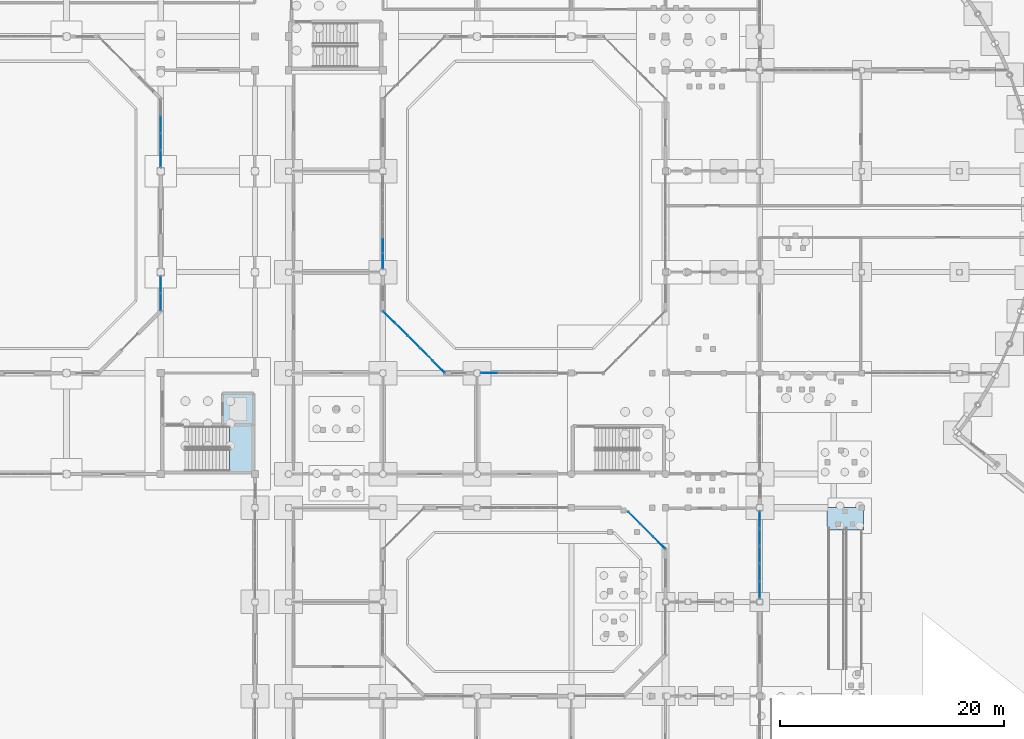
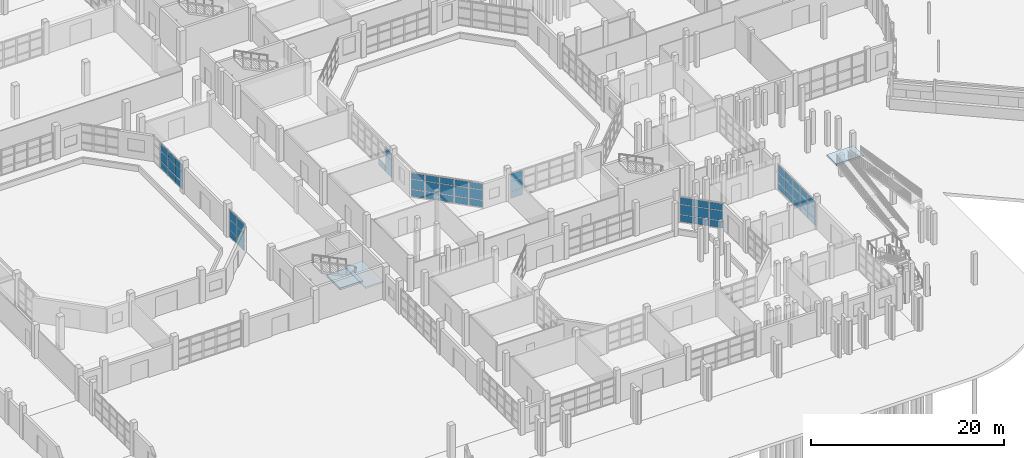
# One storey, part 46 of 88: 61 plates, 3 slabs, 9 elements without a shape of their own.
"""IFC4 building model written with IfcOpenShell, lengths in metres."""

from ifc_helpers import new_model, si_unit, direction, frame, origin, origin_2d, place, context, subcontext, project, spatial, polyline, rectangle, outline, extrude, material, layer, layer_set, type_object, element, aggregate, save


model = new_model("IFC4")

# Units and contexts
model_context = context("Model", 3, precision=1e-05, world=origin(), true_north=direction((0.0, 1.0)))
body_context = subcontext(model_context, "Body", "Model", "MODEL_VIEW")
ifc_project = project(units=[si_unit("LENGTHUNIT", "METRE"), si_unit("AREAUNIT", "SQUARE_METRE"), si_unit("VOLUMEUNIT", "CUBIC_METRE"), si_unit("PLANEANGLEUNIT", "RADIAN"), si_unit("MASSUNIT", "GRAM", prefix="KILO")], contexts=[model_context])

# Site, building, storey
site_placement = place(None, origin())
site = spatial("IfcSite", under=ifc_project, at=site_placement, CompositionType="ELEMENT")
building_placement = place(site_placement, origin())
building = spatial("IfcBuilding", under=site, at=building_placement, Name="Vanh Quang Courtyard School", CompositionType="ELEMENT")
storey_placement = place(building_placement, origin())
storey = spatial("IfcBuildingStorey", under=building, at=storey_placement, Name="L00", CompositionType="ELEMENT", Elevation=0.0)

# Curtain wall, plates
ifc_material_1 = material(Name="Thermally broken aluminium unitised curtain wall", Category="aluminium")
curtain_wall_type_1 = type_object("IfcCurtainWallType", Name="CW-SYS-12", PredefinedType="NOTDEFINED", material=ifc_material_1)
curtain_wall_1_placement = place(storey_placement, origin())
curtain_wall_1 = element("IfcCurtainWall", 1, at=curtain_wall_1_placement, inside=storey, type_object=curtain_wall_type_1, Name="Curtain Wall CW-12 (L00)", PredefinedType="NOTDEFINED")
ifc_material_2 = material(Name="Low-E laminated double glazing", Category="glass")
ifc_layer_1 = layer(ifc_material_2, 0.028076171875)
ifc_layer_set_1 = layer_set([ifc_layer_1], Name="Low-E laminated double glazing")
plate_type_1 = type_object("IfcPlateType", Name="CW-PNL-28", PredefinedType="CURTAIN_PANEL", material=ifc_layer_set_1)
plate_1_placement = place(storey_placement, frame((66.0, 47.73974609375, 0.06005859375), z_axis=(0.0, 0.0, 1.0), x_axis=(0.0, 1.0, 0.0)))
plate_1 = element("IfcPlate", 2, at=plate_1_placement, type_object=plate_type_1, Name="CW-12 panel 1.1", PredefinedType="CURTAIN_PANEL", context=body_context, shape_type="SweptSolid", body=[
    extrude(rectangle(XDim=1.471435546875, YDim=0.028076171875, at=origin_2d()), origin(), (0.0, 0.0, 1.0), 0.860107421875),
])
plate_2_placement = place(storey_placement, frame((66.0, 47.73974609375, 0.97998046875), z_axis=(0.0, 0.0, 1.0), x_axis=(0.0, 1.0, 0.0)))
plate_2 = element("IfcPlate", 3, at=plate_2_placement, type_object=plate_type_1, Name="CW-12 panel 1.2", PredefinedType="CURTAIN_PANEL", context=body_context, shape_type="SweptSolid", body=[
    extrude(rectangle(XDim=1.471435546875, YDim=0.028076171875, at=origin_2d()), origin(), (0.0, 0.0, 1.0), 1.239990234375),
])
plate_3_placement = place(storey_placement, frame((66.0, 47.73974609375, 2.2802734375), z_axis=(0.0, 0.0, 1.0), x_axis=(0.0, 1.0, 0.0)))
plate_3 = element("IfcPlate", 4, at=plate_3_placement, type_object=plate_type_1, Name="CW-12 panel 1.3", PredefinedType="CURTAIN_PANEL", context=body_context, shape_type="SweptSolid", body=[
    extrude(rectangle(XDim=1.471435546875, YDim=0.028076171875, at=origin_2d()), origin(), (0.0, 0.0, 1.0), 1.179931640625),
])
plate_4_placement = place(storey_placement, frame((66.0, 49.271240234375, 0.06005859375), z_axis=(0.0, 0.0, 1.0), x_axis=(0.0, 1.0, 0.0)))
plate_4 = element("IfcPlate", 5, at=plate_4_placement, type_object=plate_type_1, Name="CW-12 panel 2.1", PredefinedType="CURTAIN_PANEL", context=body_context, shape_type="SweptSolid", body=[
    extrude(rectangle(XDim=1.471435546875, YDim=0.028076171875, at=origin_2d()), origin(), (0.0, 0.0, 1.0), 0.860107421875),
])
plate_5_placement = place(storey_placement, frame((66.0, 49.271240234375, 0.97998046875), z_axis=(0.0, 0.0, 1.0), x_axis=(0.0, 1.0, 0.0)))
plate_5 = element("IfcPlate", 6, at=plate_5_placement, type_object=plate_type_1, Name="CW-12 panel 2.2", PredefinedType="CURTAIN_PANEL", context=body_context, shape_type="SweptSolid", body=[
    extrude(rectangle(XDim=1.471435546875, YDim=0.028076171875, at=origin_2d()), origin(), (0.0, 0.0, 1.0), 1.239990234375),
])
plate_6_placement = place(storey_placement, frame((66.0, 49.271240234375, 2.2802734375), z_axis=(0.0, 0.0, 1.0), x_axis=(0.0, 1.0, 0.0)))
plate_6 = element("IfcPlate", 7, at=plate_6_placement, type_object=plate_type_1, Name="CW-12 panel 2.3", PredefinedType="CURTAIN_PANEL", context=body_context, shape_type="SweptSolid", body=[
    extrude(rectangle(XDim=1.471435546875, YDim=0.028076171875, at=origin_2d()), origin(), (0.0, 0.0, 1.0), 1.179931640625),
])
aggregate(curtain_wall_1, [plate_1, plate_2, plate_3, plate_4, plate_5, plate_6])

curtain_wall_type_2 = type_object("IfcCurtainWallType", Name="CW-SYS-17", PredefinedType="NOTDEFINED", material=ifc_material_1)
curtain_wall_2_placement = place(storey_placement, origin())
curtain_wall_2 = element("IfcCurtainWall", 8, at=curtain_wall_2_placement, inside=storey, type_object=curtain_wall_type_2, Name="Curtain Wall CW-17 (L00)", PredefinedType="NOTDEFINED")
plate_7_placement = place(storey_placement, frame((86.36865234375, 46.37548828125, 0.080078125), z_axis=(0.0, 0.0, 1.0), x_axis=(0.707106781187, -0.707106781187, 0.0)))
plate_7 = element("IfcPlate", 9, at=plate_7_placement, type_object=plate_type_1, Name="CW-17 panel 1.1", PredefinedType="CURTAIN_PANEL", context=body_context, shape_type="SweptSolid", body=[
    extrude(rectangle(XDim=1.447998046875, YDim=0.028076171875, at=origin_2d()), origin(), (0.0, 0.0, 1.0), 0.830078125),
])
plate_8_placement = place(storey_placement, frame((86.36865234375, 46.37548828125, 0.990234375), z_axis=(0.0, 0.0, 1.0), x_axis=(0.707106781187, -0.707106781187, 0.0)))
plate_8 = element("IfcPlate", 10, at=plate_8_placement, type_object=plate_type_1, Name="CW-17 panel 1.2", PredefinedType="CURTAIN_PANEL", context=body_context, shape_type="SweptSolid", body=[
    extrude(rectangle(XDim=1.447998046875, YDim=0.028076171875, at=origin_2d()), origin(), (0.0, 0.0, 1.0), 1.219970703125),
])
plate_9_placement = place(storey_placement, frame((86.36865234375, 46.37548828125, 2.2900390625), z_axis=(0.0, 0.0, 1.0), x_axis=(0.707106781187, -0.707106781187, 0.0)))
plate_9 = element("IfcPlate", 11, at=plate_9_placement, type_object=plate_type_1, Name="CW-17 panel 1.3", PredefinedType="CURTAIN_PANEL", context=body_context, shape_type="SweptSolid", body=[
    extrude(rectangle(XDim=1.447998046875, YDim=0.028076171875, at=origin_2d()), origin(), (0.0, 0.0, 1.0), 0.75),
])
plate_10_placement = place(storey_placement, frame((87.463134765625, 45.28076171875, 0.080078125), z_axis=(0.0, 0.0, 1.0), x_axis=(0.707106781187, -0.707106781187, 0.0)))
plate_10 = element("IfcPlate", 12, at=plate_10_placement, type_object=plate_type_1, Name="CW-17 panel 2.1", PredefinedType="CURTAIN_PANEL", context=body_context, shape_type="SweptSolid", body=[
    extrude(rectangle(XDim=1.488037109375, YDim=0.028076171875, at=origin_2d()), origin(), (0.0, 0.0, 1.0), 0.830078125),
])
plate_11_placement = place(storey_placement, frame((87.463134765625, 45.28076171875, 0.990234375), z_axis=(0.0, 0.0, 1.0), x_axis=(0.707106781187, -0.707106781187, 0.0)))
plate_11 = element("IfcPlate", 13, at=plate_11_placement, type_object=plate_type_1, Name="CW-17 panel 2.2", PredefinedType="CURTAIN_PANEL", context=body_context, shape_type="SweptSolid", body=[
    extrude(rectangle(XDim=1.488037109375, YDim=0.028076171875, at=origin_2d()), origin(), (0.0, 0.0, 1.0), 1.219970703125),
])
plate_12_placement = place(storey_placement, frame((87.463134765625, 45.28076171875, 2.2900390625), z_axis=(0.0, 0.0, 1.0), x_axis=(0.707106781187, -0.707106781187, 0.0)))
plate_12 = element("IfcPlate", 14, at=plate_12_placement, type_object=plate_type_1, Name="CW-17 panel 2.3", PredefinedType="CURTAIN_PANEL", context=body_context, shape_type="SweptSolid", body=[
    extrude(rectangle(XDim=1.488037109375, YDim=0.028076171875, at=origin_2d()), origin(), (0.0, 0.0, 1.0), 0.75),
])
plate_13_placement = place(storey_placement, frame((88.572021484375, 44.172119140625, 0.080078125), z_axis=(0.0, 0.0, 1.0), x_axis=(0.707106781187, -0.707106781187, 0.0)))
plate_13 = element("IfcPlate", 15, at=plate_13_placement, type_object=plate_type_1, Name="CW-17 panel 3.1", PredefinedType="CURTAIN_PANEL", context=body_context, shape_type="SweptSolid", body=[
    extrude(rectangle(XDim=1.488037109375, YDim=0.028076171875, at=origin_2d()), origin(), (0.0, 0.0, 1.0), 0.830078125),
])
plate_14_placement = place(storey_placement, frame((88.572021484375, 44.172119140625, 0.990234375), z_axis=(0.0, 0.0, 1.0), x_axis=(0.707106781187, -0.707106781187, 0.0)))
plate_14 = element("IfcPlate", 16, at=plate_14_placement, type_object=plate_type_1, Name="CW-17 panel 3.2", PredefinedType="CURTAIN_PANEL", context=body_context, shape_type="SweptSolid", body=[
    extrude(rectangle(XDim=1.488037109375, YDim=0.028076171875, at=origin_2d()), origin(), (0.0, 0.0, 1.0), 1.219970703125),
])
plate_15_placement = place(storey_placement, frame((88.572021484375, 44.172119140625, 2.2900390625), z_axis=(0.0, 0.0, 1.0), x_axis=(0.707106781187, -0.707106781187, 0.0)))
plate_15 = element("IfcPlate", 17, at=plate_15_placement, type_object=plate_type_1, Name="CW-17 panel 3.3", PredefinedType="CURTAIN_PANEL", context=body_context, shape_type="SweptSolid", body=[
    extrude(rectangle(XDim=1.488037109375, YDim=0.028076171875, at=origin_2d()), origin(), (0.0, 0.0, 1.0), 0.75),
])
plate_16_placement = place(storey_placement, frame((89.680908203125, 43.063232421875, 0.080078125), z_axis=(0.0, 0.0, 1.0), x_axis=(0.707106781187, -0.707106781187, 0.0)))
plate_16 = element("IfcPlate", 18, at=plate_16_placement, type_object=plate_type_1, Name="CW-17 panel 4.1", PredefinedType="CURTAIN_PANEL", context=body_context, shape_type="SweptSolid", body=[
    extrude(rectangle(XDim=1.488037109375, YDim=0.028076171875, at=origin_2d()), origin(), (0.0, 0.0, 1.0), 0.830078125),
])
plate_17_placement = place(storey_placement, frame((89.680908203125, 43.063232421875, 0.990234375), z_axis=(0.0, 0.0, 1.0), x_axis=(0.707106781187, -0.707106781187, 0.0)))
plate_17 = element("IfcPlate", 19, at=plate_17_placement, type_object=plate_type_1, Name="CW-17 panel 4.2", PredefinedType="CURTAIN_PANEL", context=body_context, shape_type="SweptSolid", body=[
    extrude(rectangle(XDim=1.488037109375, YDim=0.028076171875, at=origin_2d()), origin(), (0.0, 0.0, 1.0), 1.219970703125),
])
plate_18_placement = place(storey_placement, frame((89.680908203125, 43.063232421875, 2.2900390625), z_axis=(0.0, 0.0, 1.0), x_axis=(0.707106781187, -0.707106781187, 0.0)))
plate_18 = element("IfcPlate", 20, at=plate_18_placement, type_object=plate_type_1, Name="CW-17 panel 4.3", PredefinedType="CURTAIN_PANEL", context=body_context, shape_type="SweptSolid", body=[
    extrude(rectangle(XDim=1.488037109375, YDim=0.028076171875, at=origin_2d()), origin(), (0.0, 0.0, 1.0), 0.75),
])
plate_19_placement = place(storey_placement, frame((90.775390625, 41.968505859375, 0.080078125), z_axis=(0.0, 0.0, 1.0), x_axis=(0.707106781187, -0.707106781187, 0.0)))
plate_19 = element("IfcPlate", 21, at=plate_19_placement, type_object=plate_type_1, Name="CW-17 panel 5.1", PredefinedType="CURTAIN_PANEL", context=body_context, shape_type="SweptSolid", body=[
    extrude(rectangle(XDim=1.447998046875, YDim=0.028076171875, at=origin_2d()), origin(), (0.0, 0.0, 1.0), 0.830078125),
])
plate_20_placement = place(storey_placement, frame((90.775390625, 41.968505859375, 0.990234375), z_axis=(0.0, 0.0, 1.0), x_axis=(0.707106781187, -0.707106781187, 0.0)))
plate_20 = element("IfcPlate", 22, at=plate_20_placement, type_object=plate_type_1, Name="CW-17 panel 5.2", PredefinedType="CURTAIN_PANEL", context=body_context, shape_type="SweptSolid", body=[
    extrude(rectangle(XDim=1.447998046875, YDim=0.028076171875, at=origin_2d()), origin(), (0.0, 0.0, 1.0), 1.219970703125),
])
plate_21_placement = place(storey_placement, frame((90.775390625, 41.968505859375, 2.2900390625), z_axis=(0.0, 0.0, 1.0), x_axis=(0.707106781187, -0.707106781187, 0.0)))
plate_21 = element("IfcPlate", 23, at=plate_21_placement, type_object=plate_type_1, Name="CW-17 panel 5.3", PredefinedType="CURTAIN_PANEL", context=body_context, shape_type="SweptSolid", body=[
    extrude(rectangle(XDim=1.447998046875, YDim=0.028076171875, at=origin_2d()), origin(), (0.0, 0.0, 1.0), 0.75),
])
aggregate(curtain_wall_2, [plate_7, plate_8, plate_9, plate_10, plate_11, plate_12, plate_13, plate_14, plate_15, plate_16, plate_17, plate_18, plate_19, plate_20, plate_21])

curtain_wall_type_3 = type_object("IfcCurtainWallType", Name="CW-SYS-07", PredefinedType="NOTDEFINED", material=ifc_material_1)
curtain_wall_3_placement = place(storey_placement, origin())
curtain_wall_3 = element("IfcCurtainWall", 24, at=curtain_wall_3_placement, inside=storey, type_object=curtain_wall_type_3, Name="Curtain Wall CW-07 (L00)", PredefinedType="NOTDEFINED")
ifc_layer_2 = layer(ifc_material_2, 0.031982421875)
ifc_layer_set_2 = layer_set([ifc_layer_2], Name="Low-E laminated double glazing")
plate_type_2 = type_object("IfcPlateType", Name="CW-PNL-32", PredefinedType="CURTAIN_PANEL", material=ifc_layer_set_2)
plate_22_placement = place(storey_placement, frame((119.39990234375, 28.313720703125, 0.080078125), z_axis=(0.0, 0.0, 1.0), x_axis=(0.0, -1.0, 0.0)))
plate_22 = element("IfcPlate", 25, at=plate_22_placement, type_object=plate_type_2, Name="CW-07 panel 1.1", PredefinedType="CURTAIN_PANEL", context=body_context, shape_type="SweptSolid", body=[
    extrude(rectangle(XDim=1.44677734375, YDim=0.031982421875, at=origin_2d()), origin(), (0.0, 0.0, 1.0), 0.830078125),
])
plate_23_placement = place(storey_placement, frame((119.39990234375, 28.313720703125, 0.990234375), z_axis=(0.0, 0.0, 1.0), x_axis=(0.0, -1.0, 0.0)))
plate_23 = element("IfcPlate", 26, at=plate_23_placement, type_object=plate_type_2, Name="CW-07 panel 1.2", PredefinedType="CURTAIN_PANEL", context=body_context, shape_type="SweptSolid", body=[
    extrude(rectangle(XDim=1.44677734375, YDim=0.031982421875, at=origin_2d()), origin(), (0.0, 0.0, 1.0), 1.219970703125),
])
plate_24_placement = place(storey_placement, frame((119.39990234375, 28.313720703125, 2.2900390625), z_axis=(0.0, 0.0, 1.0), x_axis=(0.0, -1.0, 0.0)))
plate_24 = element("IfcPlate", 27, at=plate_24_placement, type_object=plate_type_2, Name="CW-07 panel 1.3", PredefinedType="CURTAIN_PANEL", context=body_context, shape_type="SweptSolid", body=[
    extrude(rectangle(XDim=1.44677734375, YDim=0.031982421875, at=origin_2d()), origin(), (0.0, 0.0, 1.0), 0.909912109375),
])
plate_25_placement = place(storey_placement, frame((119.39990234375, 26.766845703125, 0.080078125), z_axis=(0.0, 0.0, 1.0), x_axis=(0.0, -1.0, 0.0)))
plate_25 = element("IfcPlate", 28, at=plate_25_placement, type_object=plate_type_2, Name="CW-07 panel 2.1", PredefinedType="CURTAIN_PANEL", context=body_context, shape_type="SweptSolid", body=[
    extrude(rectangle(XDim=1.48681640625, YDim=0.031982421875, at=origin_2d()), origin(), (0.0, 0.0, 1.0), 0.830078125),
])
plate_26_placement = place(storey_placement, frame((119.39990234375, 26.766845703125, 0.990234375), z_axis=(0.0, 0.0, 1.0), x_axis=(0.0, -1.0, 0.0)))
plate_26 = element("IfcPlate", 29, at=plate_26_placement, type_object=plate_type_2, Name="CW-07 panel 2.2", PredefinedType="CURTAIN_PANEL", context=body_context, shape_type="SweptSolid", body=[
    extrude(rectangle(XDim=1.48681640625, YDim=0.031982421875, at=origin_2d()), origin(), (0.0, 0.0, 1.0), 1.219970703125),
])
plate_27_placement = place(storey_placement, frame((119.39990234375, 26.766845703125, 2.2900390625), z_axis=(0.0, 0.0, 1.0), x_axis=(0.0, -1.0, 0.0)))
plate_27 = element("IfcPlate", 30, at=plate_27_placement, type_object=plate_type_2, Name="CW-07 panel 2.3", PredefinedType="CURTAIN_PANEL", context=body_context, shape_type="SweptSolid", body=[
    extrude(rectangle(XDim=1.48681640625, YDim=0.031982421875, at=origin_2d()), origin(), (0.0, 0.0, 1.0), 0.909912109375),
])
plate_28_placement = place(storey_placement, frame((119.39990234375, 25.199951171875, 0.080078125), z_axis=(0.0, 0.0, 1.0), x_axis=(0.0, -1.0, 0.0)))
plate_28 = element("IfcPlate", 31, at=plate_28_placement, type_object=plate_type_2, Name="CW-07 panel 3.1", PredefinedType="CURTAIN_PANEL", context=body_context, shape_type="SweptSolid", body=[
    extrude(rectangle(XDim=1.48681640625, YDim=0.031982421875, at=origin_2d()), origin(), (0.0, 0.0, 1.0), 0.830078125),
])
plate_29_placement = place(storey_placement, frame((119.39990234375, 25.199951171875, 0.990234375), z_axis=(0.0, 0.0, 1.0), x_axis=(0.0, -1.0, 0.0)))
plate_29 = element("IfcPlate", 32, at=plate_29_placement, type_object=plate_type_2, Name="CW-07 panel 3.2", PredefinedType="CURTAIN_PANEL", context=body_context, shape_type="SweptSolid", body=[
    extrude(rectangle(XDim=1.48681640625, YDim=0.031982421875, at=origin_2d()), origin(), (0.0, 0.0, 1.0), 1.219970703125),
])
plate_30_placement = place(storey_placement, frame((119.39990234375, 25.199951171875, 2.2900390625), z_axis=(0.0, 0.0, 1.0), x_axis=(0.0, -1.0, 0.0)))
plate_30 = element("IfcPlate", 33, at=plate_30_placement, type_object=plate_type_2, Name="CW-07 panel 3.3", PredefinedType="CURTAIN_PANEL", context=body_context, shape_type="SweptSolid", body=[
    extrude(rectangle(XDim=1.48681640625, YDim=0.031982421875, at=origin_2d()), origin(), (0.0, 0.0, 1.0), 0.909912109375),
])
plate_31_placement = place(storey_placement, frame((119.39990234375, 23.63330078125, 0.080078125), z_axis=(0.0, 0.0, 1.0), x_axis=(0.0, -1.0, 0.0)))
plate_31 = element("IfcPlate", 34, at=plate_31_placement, type_object=plate_type_2, Name="CW-07 panel 4.1", PredefinedType="CURTAIN_PANEL", context=body_context, shape_type="SweptSolid", body=[
    extrude(rectangle(XDim=1.48681640625, YDim=0.031982421875, at=origin_2d()), origin(), (0.0, 0.0, 1.0), 0.830078125),
])
plate_32_placement = place(storey_placement, frame((119.39990234375, 23.63330078125, 0.990234375), z_axis=(0.0, 0.0, 1.0), x_axis=(0.0, -1.0, 0.0)))
plate_32 = element("IfcPlate", 35, at=plate_32_placement, type_object=plate_type_2, Name="CW-07 panel 4.2", PredefinedType="CURTAIN_PANEL", context=body_context, shape_type="SweptSolid", body=[
    extrude(rectangle(XDim=1.48681640625, YDim=0.031982421875, at=origin_2d()), origin(), (0.0, 0.0, 1.0), 1.219970703125),
])
plate_33_placement = place(storey_placement, frame((119.39990234375, 23.63330078125, 2.2900390625), z_axis=(0.0, 0.0, 1.0), x_axis=(0.0, -1.0, 0.0)))
plate_33 = element("IfcPlate", 36, at=plate_33_placement, type_object=plate_type_2, Name="CW-07 panel 4.3", PredefinedType="CURTAIN_PANEL", context=body_context, shape_type="SweptSolid", body=[
    extrude(rectangle(XDim=1.48681640625, YDim=0.031982421875, at=origin_2d()), origin(), (0.0, 0.0, 1.0), 0.909912109375),
])
plate_34_placement = place(storey_placement, frame((119.39990234375, 22.08642578125, 0.080078125), z_axis=(0.0, 0.0, 1.0), x_axis=(0.0, -1.0, 0.0)))
plate_34 = element("IfcPlate", 37, at=plate_34_placement, type_object=plate_type_2, Name="CW-07 panel 5.1", PredefinedType="CURTAIN_PANEL", context=body_context, shape_type="SweptSolid", body=[
    extrude(rectangle(XDim=1.44677734375, YDim=0.031982421875, at=origin_2d()), origin(), (0.0, 0.0, 1.0), 0.830078125),
])
plate_35_placement = place(storey_placement, frame((119.39990234375, 22.08642578125, 0.990234375), z_axis=(0.0, 0.0, 1.0), x_axis=(0.0, -1.0, 0.0)))
plate_35 = element("IfcPlate", 38, at=plate_35_placement, type_object=plate_type_2, Name="CW-07 panel 5.2", PredefinedType="CURTAIN_PANEL", context=body_context, shape_type="SweptSolid", body=[
    extrude(rectangle(XDim=1.44677734375, YDim=0.031982421875, at=origin_2d()), origin(), (0.0, 0.0, 1.0), 1.219970703125),
])
plate_36_placement = place(storey_placement, frame((119.39990234375, 22.08642578125, 2.2900390625), z_axis=(0.0, 0.0, 1.0), x_axis=(0.0, -1.0, 0.0)))
plate_36 = element("IfcPlate", 39, at=plate_36_placement, type_object=plate_type_2, Name="CW-07 panel 5.3", PredefinedType="CURTAIN_PANEL", context=body_context, shape_type="SweptSolid", body=[
    extrude(rectangle(XDim=1.44677734375, YDim=0.031982421875, at=origin_2d()), origin(), (0.0, 0.0, 1.0), 0.909912109375),
])
aggregate(curtain_wall_3, [plate_22, plate_23, plate_24, plate_25, plate_26, plate_27, plate_28, plate_29, plate_30, plate_31, plate_32, plate_33, plate_34, plate_35, plate_36])

curtain_wall_type_4 = type_object("IfcCurtainWallType", Name="CW-SYS-11", PredefinedType="NOTDEFINED", material=ifc_material_1)
curtain_wall_4_placement = place(storey_placement, origin())
curtain_wall_4 = element("IfcCurtainWall", 40, at=curtain_wall_4_placement, inside=storey, type_object=curtain_wall_type_4, Name="Curtain Wall CW-11 (L00)", PredefinedType="NOTDEFINED")
plate_37_placement = place(storey_placement, frame((110.424560546875, 26.279296875, 0.080078125), z_axis=(0.0, 0.0, 1.0), x_axis=(-0.707106781187, 0.707106781187, 0.0)))
plate_37 = element("IfcPlate", 41, at=plate_37_placement, type_object=plate_type_2, Name="CW-11 panel 1.1", PredefinedType="CURTAIN_PANEL", context=body_context, shape_type="SweptSolid", body=[
    extrude(rectangle(XDim=1.46728515625, YDim=0.031982421875, at=origin_2d()), origin(), (0.0, 0.0, 1.0), 0.830078125),
])
plate_38_placement = place(storey_placement, frame((110.424560546875, 26.279296875, 0.990234375), z_axis=(0.0, 0.0, 1.0), x_axis=(-0.707106781187, 0.707106781187, 0.0)))
plate_38 = element("IfcPlate", 42, at=plate_38_placement, type_object=plate_type_2, Name="CW-11 panel 1.2", PredefinedType="CURTAIN_PANEL", context=body_context, shape_type="SweptSolid", body=[
    extrude(rectangle(XDim=1.46728515625, YDim=0.031982421875, at=origin_2d()), origin(), (0.0, 0.0, 1.0), 1.219970703125),
])
plate_39_placement = place(storey_placement, frame((110.424560546875, 26.279296875, 2.2900390625), z_axis=(0.0, 0.0, 1.0), x_axis=(-0.707106781187, 0.707106781187, 0.0)))
plate_39 = element("IfcPlate", 43, at=plate_39_placement, type_object=plate_type_2, Name="CW-11 panel 1.3", PredefinedType="CURTAIN_PANEL", context=body_context, shape_type="SweptSolid", body=[
    extrude(rectangle(XDim=1.46728515625, YDim=0.031982421875, at=origin_2d()), origin(), (0.0, 0.0, 1.0), 0.85009765625),
])
plate_40_placement = place(storey_placement, frame((109.31640625, 27.3876953125, 0.080078125), z_axis=(0.0, 0.0, 1.0), x_axis=(-0.707106781187, 0.707106781187, 0.0)))
plate_40 = element("IfcPlate", 44, at=plate_40_placement, type_object=plate_type_2, Name="CW-11 panel 2.1", PredefinedType="CURTAIN_PANEL", context=body_context, shape_type="SweptSolid", body=[
    extrude(rectangle(XDim=1.50732421875, YDim=0.031982421875, at=origin_2d()), origin(), (0.0, 0.0, 1.0), 0.830078125),
])
plate_41_placement = place(storey_placement, frame((109.31640625, 27.3876953125, 0.990234375), z_axis=(0.0, 0.0, 1.0), x_axis=(-0.707106781187, 0.707106781187, 0.0)))
plate_41 = element("IfcPlate", 45, at=plate_41_placement, type_object=plate_type_2, Name="CW-11 panel 2.2", PredefinedType="CURTAIN_PANEL", context=body_context, shape_type="SweptSolid", body=[
    extrude(rectangle(XDim=1.50732421875, YDim=0.031982421875, at=origin_2d()), origin(), (0.0, 0.0, 1.0), 1.219970703125),
])
plate_42_placement = place(storey_placement, frame((109.31640625, 27.3876953125, 2.2900390625), z_axis=(0.0, 0.0, 1.0), x_axis=(-0.707106781187, 0.707106781187, 0.0)))
plate_42 = element("IfcPlate", 46, at=plate_42_placement, type_object=plate_type_2, Name="CW-11 panel 2.3", PredefinedType="CURTAIN_PANEL", context=body_context, shape_type="SweptSolid", body=[
    extrude(rectangle(XDim=1.50732421875, YDim=0.031982421875, at=origin_2d()), origin(), (0.0, 0.0, 1.0), 0.85009765625),
])
plate_43_placement = place(storey_placement, frame((108.2080078125, 28.495849609375, 0.080078125), z_axis=(0.0, 0.0, 1.0), x_axis=(-0.707106781187, 0.707106781187, 0.0)))
plate_43 = element("IfcPlate", 47, at=plate_43_placement, type_object=plate_type_2, Name="CW-11 panel 3.1", PredefinedType="CURTAIN_PANEL", context=body_context, shape_type="SweptSolid", body=[
    extrude(rectangle(XDim=1.46728515625, YDim=0.031982421875, at=origin_2d()), origin(), (0.0, 0.0, 1.0), 0.830078125),
])
plate_44_placement = place(storey_placement, frame((108.2080078125, 28.495849609375, 0.990234375), z_axis=(0.0, 0.0, 1.0), x_axis=(-0.707106781187, 0.707106781187, 0.0)))
plate_44 = element("IfcPlate", 48, at=plate_44_placement, type_object=plate_type_2, Name="CW-11 panel 3.2", PredefinedType="CURTAIN_PANEL", context=body_context, shape_type="SweptSolid", body=[
    extrude(rectangle(XDim=1.46728515625, YDim=0.031982421875, at=origin_2d()), origin(), (0.0, 0.0, 1.0), 1.219970703125),
])
plate_45_placement = place(storey_placement, frame((108.2080078125, 28.495849609375, 2.2900390625), z_axis=(0.0, 0.0, 1.0), x_axis=(-0.707106781187, 0.707106781187, 0.0)))
plate_45 = element("IfcPlate", 49, at=plate_45_placement, type_object=plate_type_2, Name="CW-11 panel 3.3", PredefinedType="CURTAIN_PANEL", context=body_context, shape_type="SweptSolid", body=[
    extrude(rectangle(XDim=1.46728515625, YDim=0.031982421875, at=origin_2d()), origin(), (0.0, 0.0, 1.0), 0.85009765625),
])
aggregate(curtain_wall_4, [plate_37, plate_38, plate_39, plate_40, plate_41, plate_42, plate_43, plate_44, plate_45])

curtain_wall_type_5 = type_object("IfcCurtainWallType", Name="CW-SYS-13", PredefinedType="NOTDEFINED", material=ifc_material_1)
curtain_wall_5_placement = place(storey_placement, origin())
curtain_wall_5 = element("IfcCurtainWall", 50, at=curtain_wall_5_placement, inside=storey, type_object=curtain_wall_type_5, Name="Curtain Wall CW-13 (L00)", PredefinedType="NOTDEFINED")
plate_46_placement = place(storey_placement, frame((66.0, 60.515869140625, 0.06982421875), z_axis=(0.0, 0.0, 1.0), x_axis=(0.0, 1.0, 0.0)))
plate_46 = element("IfcPlate", 51, at=plate_46_placement, type_object=plate_type_2, Name="CW-13 panel 1.1", PredefinedType="CURTAIN_PANEL", context=body_context, shape_type="SweptSolid", body=[
    extrude(rectangle(XDim=1.42578125, YDim=0.031982421875, at=origin_2d()), origin(), (0.0, 0.0, 1.0), 0.844970703125),
])
plate_47_placement = place(storey_placement, frame((66.0, 60.515869140625, 0.985107421875), z_axis=(0.0, 0.0, 1.0), x_axis=(0.0, 1.0, 0.0)))
plate_47 = element("IfcPlate", 52, at=plate_47_placement, type_object=plate_type_2, Name="CW-13 panel 1.2", PredefinedType="CURTAIN_PANEL", context=body_context, shape_type="SweptSolid", body=[
    extrude(rectangle(XDim=1.42578125, YDim=0.031982421875, at=origin_2d()), origin(), (0.0, 0.0, 1.0), 1.22998046875),
])
plate_48_placement = place(storey_placement, frame((66.0, 60.515869140625, 2.28515625), z_axis=(0.0, 0.0, 1.0), x_axis=(0.0, 1.0, 0.0)))
plate_48 = element("IfcPlate", 53, at=plate_48_placement, type_object=plate_type_2, Name="CW-13 panel 1.3", PredefinedType="CURTAIN_PANEL", context=body_context, shape_type="SweptSolid", body=[
    extrude(rectangle(XDim=1.42578125, YDim=0.031982421875, at=origin_2d()), origin(), (0.0, 0.0, 1.0), 0.864990234375),
])
plate_49_placement = place(storey_placement, frame((66.0, 62.029052734375, 0.06982421875), z_axis=(0.0, 0.0, 1.0), x_axis=(0.0, 1.0, 0.0)))
plate_49 = element("IfcPlate", 54, at=plate_49_placement, type_object=plate_type_2, Name="CW-13 panel 2.1", PredefinedType="CURTAIN_PANEL", context=body_context, shape_type="SweptSolid", body=[
    extrude(rectangle(XDim=1.460693359375, YDim=0.031982421875, at=origin_2d()), origin(), (0.0, 0.0, 1.0), 0.844970703125),
])
plate_50_placement = place(storey_placement, frame((66.0, 62.029052734375, 0.985107421875), z_axis=(0.0, 0.0, 1.0), x_axis=(0.0, 1.0, 0.0)))
plate_50 = element("IfcPlate", 55, at=plate_50_placement, type_object=plate_type_2, Name="CW-13 panel 2.2", PredefinedType="CURTAIN_PANEL", context=body_context, shape_type="SweptSolid", body=[
    extrude(rectangle(XDim=1.460693359375, YDim=0.031982421875, at=origin_2d()), origin(), (0.0, 0.0, 1.0), 1.22998046875),
])
plate_51_placement = place(storey_placement, frame((66.0, 62.029052734375, 2.28515625), z_axis=(0.0, 0.0, 1.0), x_axis=(0.0, 1.0, 0.0)))
plate_51 = element("IfcPlate", 56, at=plate_51_placement, type_object=plate_type_2, Name="CW-13 panel 2.3", PredefinedType="CURTAIN_PANEL", context=body_context, shape_type="SweptSolid", body=[
    extrude(rectangle(XDim=1.460693359375, YDim=0.031982421875, at=origin_2d()), origin(), (0.0, 0.0, 1.0), 0.864990234375),
])
plate_52_placement = place(storey_placement, frame((66.0, 63.559814453125, 0.06982421875), z_axis=(0.0, 0.0, 1.0), x_axis=(0.0, 1.0, 0.0)))
plate_52 = element("IfcPlate", 57, at=plate_52_placement, type_object=plate_type_2, Name="CW-13 panel 3.1", PredefinedType="CURTAIN_PANEL", context=body_context, shape_type="SweptSolid", body=[
    extrude(rectangle(XDim=1.460693359375, YDim=0.031982421875, at=origin_2d()), origin(), (0.0, 0.0, 1.0), 0.844970703125),
])
plate_53_placement = place(storey_placement, frame((66.0, 63.559814453125, 0.985107421875), z_axis=(0.0, 0.0, 1.0), x_axis=(0.0, 1.0, 0.0)))
plate_53 = element("IfcPlate", 58, at=plate_53_placement, type_object=plate_type_2, Name="CW-13 panel 3.2", PredefinedType="CURTAIN_PANEL", context=body_context, shape_type="SweptSolid", body=[
    extrude(rectangle(XDim=1.460693359375, YDim=0.031982421875, at=origin_2d()), origin(), (0.0, 0.0, 1.0), 1.22998046875),
])
plate_54_placement = place(storey_placement, frame((66.0, 63.559814453125, 2.28515625), z_axis=(0.0, 0.0, 1.0), x_axis=(0.0, 1.0, 0.0)))
plate_54 = element("IfcPlate", 59, at=plate_54_placement, type_object=plate_type_2, Name="CW-13 panel 3.3", PredefinedType="CURTAIN_PANEL", context=body_context, shape_type="SweptSolid", body=[
    extrude(rectangle(XDim=1.460693359375, YDim=0.031982421875, at=origin_2d()), origin(), (0.0, 0.0, 1.0), 0.864990234375),
])
aggregate(curtain_wall_5, [plate_46, plate_47, plate_48, plate_49, plate_50, plate_51, plate_52, plate_53, plate_54])

curtain_wall_type_6 = type_object("IfcCurtainWallType", Name="CW-SYS-01", PredefinedType="NOTDEFINED", material=ifc_material_1)
curtain_wall_6_placement = place(storey_placement, origin())
curtain_wall_6 = element("IfcCurtainWall", 60, at=curtain_wall_6_placement, inside=storey, type_object=curtain_wall_type_6, Name="Curtain Wall CW-01 (L00)", PredefinedType="NOTDEFINED")
plate_55_placement = place(storey_placement, frame((95.283935546875, 41.39990234375, 0.06982421875), z_axis=(0.0, 0.0, 1.0), x_axis=(1.0, 0.0, 0.0)))
plate_55 = element("IfcPlate", 61, at=plate_55_placement, type_object=plate_type_2, Name="CW-01 panel 1.1", PredefinedType="CURTAIN_PANEL", context=body_context, shape_type="SweptSolid", body=[
    extrude(rectangle(XDim=1.4619140625, YDim=0.031982421875, at=origin_2d()), origin(), (0.0, 0.0, 1.0), 0.844970703125),
])
plate_56_placement = place(storey_placement, frame((95.283935546875, 41.39990234375, 0.985107421875), z_axis=(0.0, 0.0, 1.0), x_axis=(1.0, 0.0, 0.0)))
plate_56 = element("IfcPlate", 62, at=plate_56_placement, type_object=plate_type_2, Name="CW-01 panel 1.2", PredefinedType="CURTAIN_PANEL", context=body_context, shape_type="SweptSolid", body=[
    extrude(rectangle(XDim=1.4619140625, YDim=0.031982421875, at=origin_2d()), origin(), (0.0, 0.0, 1.0), 1.22998046875),
])
plate_57_placement = place(storey_placement, frame((95.283935546875, 41.39990234375, 2.28515625), z_axis=(0.0, 0.0, 1.0), x_axis=(1.0, 0.0, 0.0)))
plate_57 = element("IfcPlate", 63, at=plate_57_placement, type_object=plate_type_2, Name="CW-01 panel 1.3", PredefinedType="CURTAIN_PANEL", context=body_context, shape_type="SweptSolid", body=[
    extrude(rectangle(XDim=1.4619140625, YDim=0.031982421875, at=origin_2d()), origin(), (0.0, 0.0, 1.0), 0.864990234375),
])
aggregate(curtain_wall_6, [plate_55, plate_56, plate_57])

curtain_wall_type_7 = type_object("IfcCurtainWallType", Name="CW-SYS-18", PredefinedType="NOTDEFINED", material=ifc_material_1)
curtain_wall_7_placement = place(storey_placement, origin())
curtain_wall_7 = element("IfcCurtainWall", 64, at=curtain_wall_7_placement, inside=storey, type_object=curtain_wall_type_7, Name="Curtain Wall CW-18 (L00)", PredefinedType="NOTDEFINED")
plate_58_placement = place(storey_placement, frame((85.800048828125, 52.79150390625, 0.06982421875), z_axis=(0.0, 0.0, 1.0), x_axis=(0.0, -1.0, 0.0)))
plate_58 = element("IfcPlate", 65, at=plate_58_placement, type_object=plate_type_2, Name="CW-18 panel 5.1", PredefinedType="CURTAIN_PANEL", context=body_context, shape_type="SweptSolid", body=[
    extrude(rectangle(XDim=1.335693359375, YDim=0.031982421875, at=origin_2d()), origin(), (0.0, 0.0, 1.0), 0.844970703125),
])
plate_59_placement = place(storey_placement, frame((85.800048828125, 51.4033203125, 0.06982421875), z_axis=(0.0, 0.0, 1.0), x_axis=(0.0, -1.0, 0.0)))
plate_59 = element("IfcPlate", 66, at=plate_59_placement, type_object=plate_type_2, Name="CW-18 panel 6.1", PredefinedType="CURTAIN_PANEL", context=body_context, shape_type="SweptSolid", body=[
    extrude(rectangle(XDim=1.30078125, YDim=0.031982421875, at=origin_2d()), origin(), (0.0, 0.0, 1.0), 0.844970703125),
])
plate_60_placement = place(storey_placement, frame((85.800048828125, 51.4033203125, 0.985107421875), z_axis=(0.0, 0.0, 1.0), x_axis=(0.0, -1.0, 0.0)))
plate_60 = element("IfcPlate", 67, at=plate_60_placement, type_object=plate_type_2, Name="CW-18 panel 6.2", PredefinedType="CURTAIN_PANEL", context=body_context, shape_type="SweptSolid", body=[
    extrude(rectangle(XDim=1.30078125, YDim=0.031982421875, at=origin_2d()), origin(), (0.0, 0.0, 1.0), 1.22998046875),
])
plate_61_placement = place(storey_placement, frame((85.800048828125, 51.4033203125, 2.28515625), z_axis=(0.0, 0.0, 1.0), x_axis=(0.0, -1.0, 0.0)))
plate_61 = element("IfcPlate", 68, at=plate_61_placement, type_object=plate_type_2, Name="CW-18 panel 6.3", PredefinedType="CURTAIN_PANEL", context=body_context, shape_type="SweptSolid", body=[
    extrude(rectangle(XDim=1.30078125, YDim=0.031982421875, at=origin_2d()), origin(), (0.0, 0.0, 1.0), 0.864990234375),
])
aggregate(curtain_wall_7, [plate_58, plate_59, plate_60, plate_61])

# Slab
ifc_material_3 = material(Name="Concrete C30/37", Category="concrete")
ifc_layer_3 = layer(ifc_material_3, 0.25)
ifc_layer_set_3 = layer_set([ifc_layer_3], Name="Concrete C30/37")
slab_type_1 = type_object("IfcSlabType", Name="SLB-FLR-250", PredefinedType="FLOOR", material=ifc_layer_set_3)
slab_1_placement = place(storey_placement, frame((0.0, 0.0, -0.64990234375)))
element("IfcSlab", 69, at=slab_1_placement, inside=storey, type_object=slab_type_1, Name="Slab SF-04 (L00)", PredefinedType="FLOOR", context=body_context, shape_type="SweptSolid", body=[
    extrude(outline(polyline([(71.52001953125, 36.780029296875), (74.260009765625, 36.780029296875), (74.260009765625, 39.580078125), (71.52001953125, 39.580078125), (71.52001953125, 36.780029296875)])), origin(), (0.0, 0.0, 1.0), 0.25),
])

# Stair, slab
stair_type = type_object("IfcStairType", Name="STR-CORE-1900", PredefinedType="HALF_TURN_STAIR", material=ifc_material_3)
stair_placement = place(storey_placement, origin())
stair = element("IfcStair", 70, at=stair_placement, inside=storey, type_object=stair_type, Name="L00 ST-04", PredefinedType="HALF_TURN_STAIR")
ifc_layer_4 = layer(ifc_material_3, 0.199951171875)
ifc_layer_set_4 = layer_set([ifc_layer_4], Name="Concrete C30/37")
slab_type_2 = type_object("IfcSlabType", Name="SLB-LND-200", PredefinedType="LANDING", material=ifc_layer_set_4)
slab_2_placement = place(storey_placement, frame((0.0, 0.0, 1.89990234375)))
slab_2 = element("IfcSlab", 71, at=slab_2_placement, type_object=slab_type_2, Name="ST-04 landing 1", PredefinedType="LANDING", context=body_context, shape_type="SweptSolid", body=[
    extrude(outline(polyline([(72.14501953125, 32.52001953125), (74.280029296875, 32.52001953125), (74.280029296875, 36.800048828125), (72.14501953125, 36.800048828125), (72.14501953125, 32.52001953125)])), origin(), (0.0, 0.0, 1.0), 0.2001953125),
])
aggregate(stair, [slab_2])

# Ramp, slab
ramp_type = type_object("IfcRampType", Name="RAMP-ACC-1400", PredefinedType="TWO_STRAIGHT_RUN_RAMP", material=ifc_material_3)
ramp_placement = place(storey_placement, origin())
ramp = element("IfcRamp", 72, at=ramp_placement, inside=storey, type_object=ramp_type, Name="Ramp RMP-01 (L00)", PredefinedType="TWO_STRAIGHT_RUN_RAMP")
ifc_layer_5 = layer(ifc_material_3, 0.219970703125)
ifc_layer_set_5 = layer_set([ifc_layer_5], Name="Concrete C30/37")
slab_type_3 = type_object("IfcSlabType", Name="SLB-RMPLND-220", PredefinedType="LANDING", material=ifc_layer_set_5)
slab_3_placement = place(storey_placement, frame((0.0, 0.0, 1.8798828125)))
slab_3 = element("IfcSlab", 73, at=slab_3_placement, type_object=slab_type_3, Name="Slab SL-RMP (L00)", PredefinedType="LANDING", context=body_context, shape_type="SweptSolid", body=[
    extrude(outline(polyline([(128.639892578125, 27.39990234375), (128.639892578125, 29.39990234375), (125.39990234375, 29.39990234375), (125.39990234375, 27.39990234375), (128.639892578125, 27.39990234375)])), origin(), (0.0, 0.0, 1.0), 0.22021484375),
])
aggregate(ramp, [slab_3])

save(model, "model.ifc")
